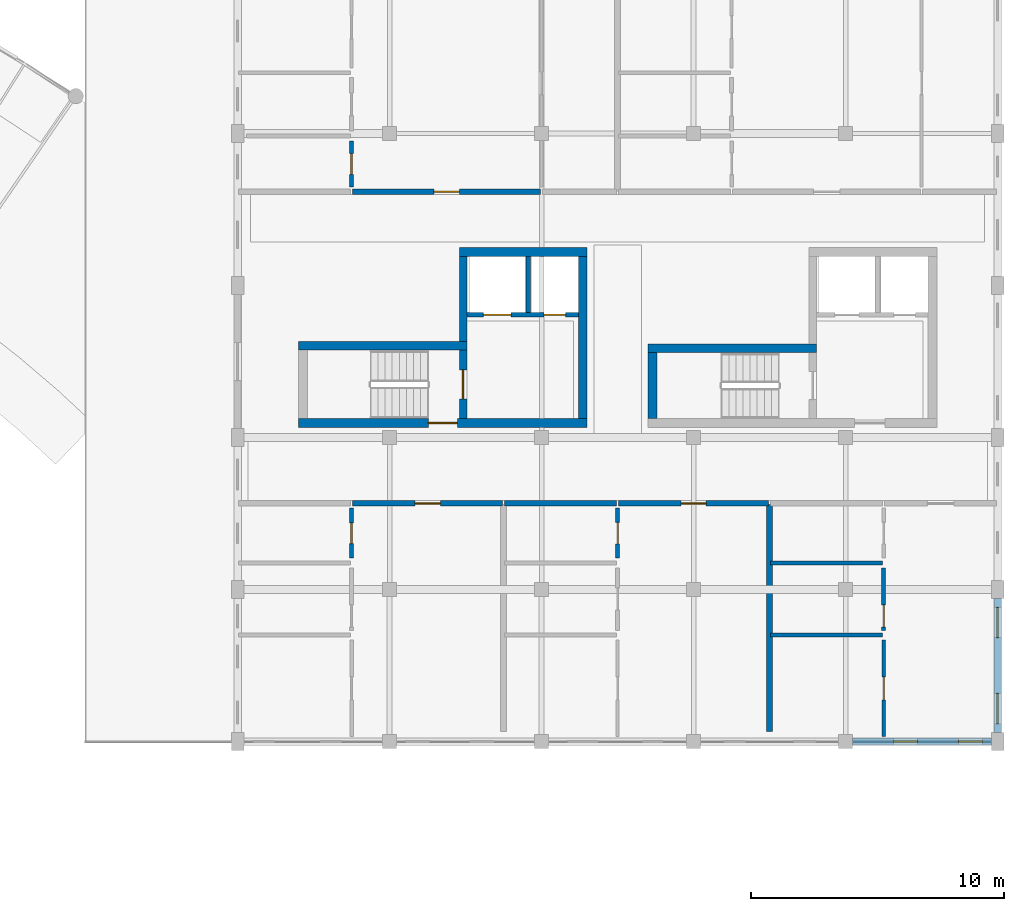
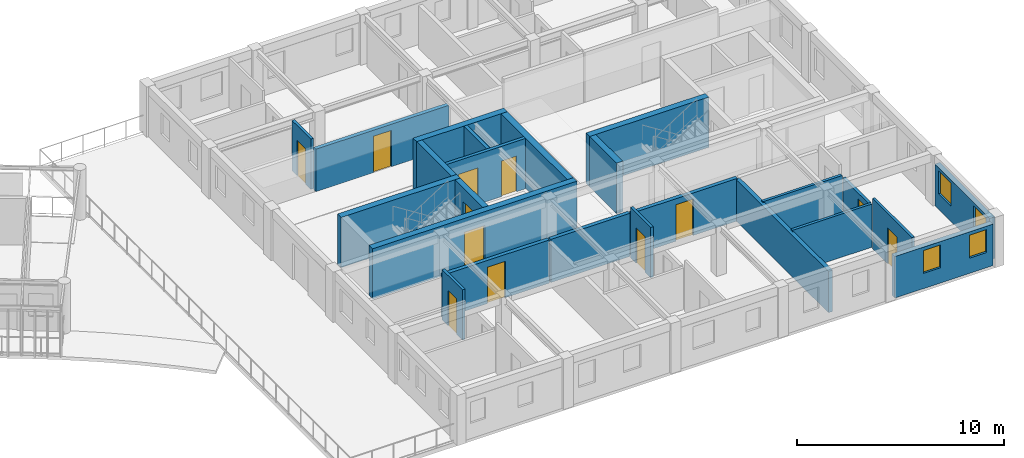
# One storey, part 79 of 101: 24 walls, 12 doors, 4 windows, 16 openings.
"""IFC4 building model written with IfcOpenShell, lengths in metres."""

from ifc_helpers import new_model, si_unit, direction, frame, frame_2d, origin, place, context, subcontext, project, spatial, rectangle, extrude, material, layer, layer_set, type_object, element, fill, save


model = new_model("IFC4")

# Units and contexts
model_context = context("Model", 3, precision=1e-05, world=origin(), true_north=direction((0.0, 1.0)))
body_context = subcontext(model_context, "Body", "Model", "MODEL_VIEW")
ifc_project = project(units=[si_unit("LENGTHUNIT", "METRE"), si_unit("AREAUNIT", "SQUARE_METRE"), si_unit("VOLUMEUNIT", "CUBIC_METRE"), si_unit("PLANEANGLEUNIT", "RADIAN"), si_unit("MASSUNIT", "GRAM", prefix="KILO"), si_unit("POWERUNIT", "WATT"), si_unit("THERMODYNAMICTEMPERATUREUNIT", "KELVIN")], contexts=[model_context])

# Site, building, storey
site_placement = place(None, origin())
site = spatial("IfcSite", under=ifc_project, at=site_placement, CompositionType="ELEMENT")
building_placement = place(site_placement, origin())
building = spatial("IfcBuilding", under=site, at=building_placement, Name="Ruvembo Vaulted Housing Court", CompositionType="ELEMENT")
storey_placement = place(building_placement, frame((0.0, 0.0, 17.300048828125)))
storey = spatial("IfcBuildingStorey", under=building, at=storey_placement, Name="L05", CompositionType="ELEMENT", Elevation=17.300048828125)

# Wall, opening, door
ifc_material_1 = material(Name="Concrete C35/45", Category="concrete")
ifc_layer_1 = layer(ifc_material_1, 0.300048828125, Name="Concrete C35/45")
ifc_layer_set_1 = layer_set([ifc_layer_1], Name="Concrete C35/45")
wall_type_1 = type_object("IfcWallType", Name="WL-CORE-300", PredefinedType="SHEAR", material=ifc_layer_set_1)
wall_1_placement = place(storey_placement, frame((164.89990234375, 84.75, 0.0), z_axis=(0.0, 0.0, 1.0), x_axis=(0.0, 1.0, 0.0)))
wall_1 = element("IfcWall", 1, at=wall_1_placement, inside=storey, type_object=wall_type_1, Name="Core D1 L05 Stair-Lobby Shear Wall", PredefinedType="SHEAR", context=body_context, shape_type="SweptSolid", body=[
    extrude(rectangle(XDim=2.699951171875, YDim=0.300048828125, at=frame_2d((1.35009765625, 0.0))), origin(), (0.0, 0.0, 1.0), 2.96484375),
])
opening_1_placement = place(wall_1_placement, frame((0.77490234375, 0.0, 0.0)))
opening_1 = element("IfcOpeningElement", 2, at=opening_1_placement, cuts=wall_1, Name="Opening SD1", PredefinedType="OPENING", context=body_context, shape_type="SweptSolid", body=[
    extrude(rectangle(XDim=1.14990234375, YDim=2.14990234375, at=frame_2d((0.574951171875, 1.074951171875))), frame((0.0, 0.159912109375, 0.0), z_axis=(0.0, -1.0, 0.0), x_axis=(1.0, 0.0, 0.0)), (0.0, 0.0, 1.0), 0.320068359375),
])
ifc_material_2 = material(Name="Galvanised Painted Steel", Category="steel")
door_type_1 = type_object("IfcDoorType", Name="DR-STAIR-1150x2150", OperationType="NOTDEFINED", PredefinedType="DOOR", material=ifc_material_2)
door_1_placement = place(opening_1_placement, origin())
door_1 = element("IfcDoor", 3, at=door_1_placement, inside=storey, type_object=door_type_1, Name="Stair ST-D1 L05 Fire Door", OperationType="SINGLE_SWING_RIGHT", OverallHeight=2.14990234375, OverallWidth=1.14990234375, PredefinedType="DOOR", context=body_context, shape_type="SweptSolid", body=[
    extrude(rectangle(XDim=1.14990234375, YDim=2.14990234375, at=frame_2d((0.574951171875, 1.074951171875))), frame((0.0, 0.02490234375, 0.0), z_axis=(0.0, -1.0, 0.0), x_axis=(1.0, 0.0, 0.0)), (0.0, 0.0, 1.0), 0.050048828125),
])
fill(opening_1, door_1)

# Wall
wall_2_placement = place(storey_placement, frame((164.89990234375, 87.800048828125, 0.0), z_axis=(0.0, 0.0, 1.0), x_axis=(0.0, 1.0, 0.0)))
element("IfcWall", 4, at=wall_2_placement, inside=storey, type_object=wall_type_1, Name="Core D1 L05 Upper West Shear Wall", PredefinedType="SHEAR", context=body_context, shape_type="SweptSolid", body=[
    extrude(rectangle(XDim=3.349853515625, YDim=0.300048828125, at=frame_2d((1.6748046875, 0.0))), origin(), (0.0, 0.0, 1.0), 2.96484375),
])

# Wall, opening, door
ifc_layer_2 = layer(ifc_material_1, 0.35009765625, Name="Concrete C35/45")
ifc_layer_set_2 = layer_set([ifc_layer_2], Name="Concrete C35/45")
wall_type_2 = type_object("IfcWallType", Name="WL-CORE-350", PredefinedType="SHEAR", material=ifc_layer_set_2)
wall_3_placement = place(storey_placement, frame((158.39990234375, 84.574951171875, 0.0), z_axis=(0.0, 0.0, 1.0), x_axis=(1.0, 0.0, 0.0)))
wall_3 = element("IfcWall", 5, at=wall_3_placement, inside=storey, type_object=wall_type_2, Name="Core D1 L05 South Shear Wall", PredefinedType="SHEAR", context=body_context, shape_type="SweptSolid", body=[
    extrude(rectangle(XDim=11.400146484375, YDim=0.35009765625, at=frame_2d((5.7001953125, 0.0))), origin(), (0.0, 0.0, 1.0), 2.96484375),
])
opening_2_placement = place(wall_3_placement, frame((5.125, 0.0, 0.0)))
opening_2 = element("IfcOpeningElement", 6, at=opening_2_placement, cuts=wall_3, Name="Opening LD0", PredefinedType="OPENING", context=body_context, shape_type="SweptSolid", body=[
    extrude(rectangle(XDim=1.14990234375, YDim=2.14990234375, at=frame_2d((0.574951171875, 1.074951171875))), frame((0.0, 0.18505859375, 0.0), z_axis=(0.0, -1.0, 0.0), x_axis=(1.0, 0.0, 0.0)), (0.0, 0.0, 1.0), 0.3701171875),
])
door_type_2 = type_object("IfcDoorType", Name="DR-LOB-1150x2150", OperationType="NOTDEFINED", PredefinedType="DOOR", material=ifc_material_2)
door_2_placement = place(opening_2_placement, origin())
door_2 = element("IfcDoor", 7, at=door_2_placement, inside=storey, type_object=door_type_2, Name="Core D1 L05 Lobby Fire Door", OperationType="SINGLE_SWING_LEFT", OverallHeight=2.14990234375, OverallWidth=1.14990234375, PredefinedType="DOOR", context=body_context, shape_type="SweptSolid", body=[
    extrude(rectangle(XDim=1.14990234375, YDim=2.14990234375, at=frame_2d((0.574951171875, 1.074951171875))), frame((0.0, 0.02490234375, 0.0), z_axis=(0.0, -1.0, 0.0), x_axis=(1.0, 0.0, 0.0)), (0.0, 0.0, 1.0), 0.050048828125),
])
fill(opening_2, door_2)

# Walls
wall_4_placement = place(storey_placement, frame((165.050048828125, 87.625, 0.0), z_axis=(0.0, 0.0, 1.0), x_axis=(-1.0, 0.0, 0.0)))
element("IfcWall", 8, at=wall_4_placement, inside=storey, type_object=wall_type_2, Name="Core D1 L05 Stair North Shear Wall", PredefinedType="SHEAR", context=body_context, shape_type="SweptSolid", body=[
    extrude(rectangle(XDim=6.650146484375, YDim=0.35009765625, at=frame_2d((3.3251953125, 0.0))), origin(), (0.0, 0.0, 1.0), 2.96484375),
])
wall_5_placement = place(storey_placement, frame((169.800048828125, 91.324951171875, 0.0), z_axis=(0.0, 0.0, 1.0), x_axis=(-1.0, 0.0, 0.0)))
element("IfcWall", 9, at=wall_5_placement, inside=storey, type_object=wall_type_2, Name="Core D1 L05 North Shear Wall", PredefinedType="SHEAR", context=body_context, shape_type="SweptSolid", body=[
    extrude(rectangle(XDim=5.050048828125, YDim=0.35009765625, at=frame_2d((2.52490234375, 0.0))), origin(), (0.0, 0.0, 1.0), 2.96484375),
])
wall_6_placement = place(storey_placement, frame((169.625, 84.75, 0.0), z_axis=(0.0, 0.0, 1.0), x_axis=(0.0, 1.0, 0.0)))
element("IfcWall", 10, at=wall_6_placement, inside=storey, type_object=wall_type_2, Name="Core D1 L05 East Shear Wall", PredefinedType="SHEAR", context=body_context, shape_type="SweptSolid", body=[
    extrude(rectangle(XDim=6.39990234375, YDim=0.35009765625, at=frame_2d((3.199951171875, 0.0))), origin(), (0.0, 0.0, 1.0), 2.96484375),
])
wall_7_placement = place(storey_placement, frame((178.85009765625, 87.52490234375, 0.0), z_axis=(0.0, 0.0, 1.0), x_axis=(-1.0, 0.0, 0.0)))
element("IfcWall", 11, at=wall_7_placement, inside=storey, type_object=wall_type_2, Name="Core D2 L05 Stair North Shear Wall", PredefinedType="SHEAR", context=body_context, shape_type="SweptSolid", body=[
    extrude(rectangle(XDim=6.650146484375, YDim=0.35009765625, at=frame_2d((3.3251953125, 0.0))), origin(), (0.0, 0.0, 1.0), 2.96484375),
])
wall_8_placement = place(storey_placement, frame((172.375, 87.35009765625, 0.0), z_axis=(0.0, 0.0, 1.0), x_axis=(0.0, -1.0, 0.0)))
element("IfcWall", 12, at=wall_8_placement, inside=storey, type_object=wall_type_2, Name="Core D2 L05 Stair West Shear Wall", PredefinedType="SHEAR", context=body_context, shape_type="SweptSolid", body=[
    extrude(rectangle(XDim=2.60009765625, YDim=0.35009765625, at=frame_2d((1.300048828125, 0.0))), origin(), (0.0, 0.0, 1.0), 2.96484375),
])

# Wall, opening, door
ifc_material_3 = material(Name="Concrete Blockwork 210", Category="masonry")
ifc_layer_3 = layer(ifc_material_3, 0.2099609375, Name="Concrete Blockwork 210")
ifc_layer_set_3 = layer_set([ifc_layer_3], Name="Concrete Blockwork 210")
wall_type_3 = type_object("IfcWallType", Name="WL-CORR-210", PredefinedType="SOLIDWALL", material=ifc_layer_set_3)
wall_9_placement = place(storey_placement, frame((160.5400390625, 81.39990234375, 0.0), z_axis=(0.0, 0.0, 1.0), x_axis=(1.0, 0.0, 0.0)))
wall_9 = element("IfcWall", 13, at=wall_9_placement, inside=storey, type_object=wall_type_3, Name="L05 Flat D-L05-S1 Entrance WL-INT-L05-01538", PredefinedType="SOLIDWALL", context=body_context, shape_type="SweptSolid", body=[
    extrude(rectangle(XDim=5.919921875, YDim=0.2099609375, at=frame_2d((2.9599609375, 0.0))), origin(), (0.0, 0.0, 1.0), 2.5478515625),
])
opening_3_placement = place(wall_9_placement, frame((2.4599609375, 0.0, 0.0)))
opening_3 = element("IfcOpeningElement", 14, at=opening_3_placement, cuts=wall_9, Name="Opening FD1", PredefinedType="OPENING", context=body_context, shape_type="SweptSolid", body=[
    extrude(rectangle(XDim=1.0, YDim=2.14990234375, at=frame_2d((0.5, 1.074951171875))), frame((0.0, 0.114990234375, 0.0), z_axis=(0.0, -1.0, 0.0), x_axis=(1.0, 0.0, 0.0)), (0.0, 0.0, 1.0), 0.22998046875),
])
ifc_material_4 = material(Name="FSC Hardwood and Engineered Timber", Category="wood")
door_type_3 = type_object("IfcDoorType", Name="DR-FLAT-1000x2150", OperationType="NOTDEFINED", PredefinedType="DOOR", material=ifc_material_4)
door_3_placement = place(opening_3_placement, origin())
door_3 = element("IfcDoor", 15, at=door_3_placement, inside=storey, type_object=door_type_3, Name="L05 Flat D-L05-S1 Entrance Door DR-INT-L05-00861", OperationType="SINGLE_SWING_LEFT", OverallHeight=2.14990234375, OverallWidth=1.0, PredefinedType="DOOR", context=body_context, shape_type="SweptSolid", body=[
    extrude(rectangle(XDim=1.0, YDim=2.14990234375, at=frame_2d((0.5, 1.074951171875))), frame((0.0, 0.02490234375, 0.0), z_axis=(0.0, -1.0, 0.0), x_axis=(1.0, 0.0, 0.0)), (0.0, 0.0, 1.0), 0.050048828125),
])
fill(opening_3, door_3)

# Wall
wall_10_placement = place(storey_placement, frame((166.5400390625, 81.39990234375, 0.0), z_axis=(0.0, 0.0, 1.0), x_axis=(1.0, 0.0, 0.0)))
element("IfcWall", 16, at=wall_10_placement, inside=storey, type_object=wall_type_3, Name="L05 Flat D-L05-S2 Corridor Wall WL-INT-L05-01545", PredefinedType="SOLIDWALL", context=body_context, shape_type="SweptSolid", body=[
    extrude(rectangle(XDim=4.419921875, YDim=0.2099609375, at=frame_2d((2.2099609375, 0.0))), origin(), (0.0, 0.0, 1.0), 2.5478515625),
])

# Wall, opening, door
wall_11_placement = place(storey_placement, frame((171.0400390625, 81.39990234375, 0.0), z_axis=(0.0, 0.0, 1.0), x_axis=(1.0, 0.0, 0.0)))
wall_11 = element("IfcWall", 17, at=wall_11_placement, inside=storey, type_object=wall_type_3, Name="L05 Flat D-L05-S2 Entrance WL-INT-L05-01546", PredefinedType="SOLIDWALL", context=body_context, shape_type="SweptSolid", body=[
    extrude(rectangle(XDim=5.919921875, YDim=0.2099609375, at=frame_2d((2.9599609375, 0.0))), origin(), (0.0, 0.0, 1.0), 2.508056640625),
])
opening_4_placement = place(wall_11_placement, frame((2.469970703125, 0.0, 0.0)))
opening_4 = element("IfcOpeningElement", 18, at=opening_4_placement, cuts=wall_11, Name="Opening FD2", PredefinedType="OPENING", context=body_context, shape_type="SweptSolid", body=[
    extrude(rectangle(XDim=0.97998046875, YDim=2.14990234375, at=frame_2d((0.489990234375, 1.074951171875))), frame((0.0, 0.114990234375, 0.0), z_axis=(0.0, -1.0, 0.0), x_axis=(1.0, 0.0, 0.0)), (0.0, 0.0, 1.0), 0.22998046875),
])
door_type_4 = type_object("IfcDoorType", Name="DR-FLAT-0980x2150", OperationType="NOTDEFINED", PredefinedType="DOOR", material=ifc_material_4)
door_4_placement = place(opening_4_placement, origin())
door_4 = element("IfcDoor", 19, at=door_4_placement, inside=storey, type_object=door_type_4, Name="L05 Flat D-L05-S2 Entrance Door DR-INT-L05-00865", OperationType="SINGLE_SWING_LEFT", OverallHeight=2.14990234375, OverallWidth=0.97998046875, PredefinedType="DOOR", context=body_context, shape_type="SweptSolid", body=[
    extrude(rectangle(XDim=0.97998046875, YDim=2.14990234375, at=frame_2d((0.489990234375, 1.074951171875))), frame((0.0, 0.02490234375, 0.0), z_axis=(0.0, -1.0, 0.0), x_axis=(1.0, 0.0, 0.0)), (0.0, 0.0, 1.0), 0.050048828125),
])
fill(opening_4, door_4)

wall_12_placement = place(storey_placement, frame((160.5400390625, 93.699951171875, 0.0), z_axis=(0.0, 0.0, 1.0), x_axis=(1.0, 0.0, 0.0)))
wall_12 = element("IfcWall", 20, at=wall_12_placement, inside=storey, type_object=wall_type_3, Name="L05 Flat D-L05-N1 Entrance WL-INT-L05-01561", PredefinedType="SOLIDWALL", context=body_context, shape_type="SweptSolid", body=[
    extrude(rectangle(XDim=7.419921875, YDim=0.2099609375, at=frame_2d((3.7099609375, 0.0))), origin(), (0.0, 0.0, 1.0), 2.508056640625),
])
opening_5_placement = place(wall_12_placement, frame((3.2099609375, 0.0, 0.0)))
opening_5 = element("IfcOpeningElement", 21, at=opening_5_placement, cuts=wall_12, Name="Opening FD1", PredefinedType="OPENING", context=body_context, shape_type="SweptSolid", body=[
    extrude(rectangle(XDim=1.0, YDim=2.14990234375, at=frame_2d((0.5, 1.074951171875))), frame((0.0, 0.114990234375, 0.0), z_axis=(0.0, -1.0, 0.0), x_axis=(1.0, 0.0, 0.0)), (0.0, 0.0, 1.0), 0.22998046875),
])
door_5_placement = place(opening_5_placement, origin())
door_5 = element("IfcDoor", 22, at=door_5_placement, inside=storey, type_object=door_type_3, Name="L05 Flat D-L05-N1 Entrance Door DR-INT-L05-00873", OperationType="SINGLE_SWING_LEFT", OverallHeight=2.14990234375, OverallWidth=1.0, PredefinedType="DOOR", context=body_context, shape_type="SweptSolid", body=[
    extrude(rectangle(XDim=1.0, YDim=2.14990234375, at=frame_2d((0.5, 1.074951171875))), frame((0.0, 0.02490234375, 0.0), z_axis=(0.0, -1.0, 0.0), x_axis=(1.0, 0.0, 0.0)), (0.0, 0.0, 1.0), 0.050048828125),
])
fill(opening_5, door_5)

# Wall
ifc_material_5 = material(Name="Acoustic Masonry Demising 230", Category="masonry")
ifc_layer_4 = layer(ifc_material_5, 0.22998046875, Name="Acoustic Masonry Demising 230")
ifc_layer_set_4 = layer_set([ifc_layer_4], Name="Acoustic Masonry Demising 230")
wall_type_4 = type_object("IfcWallType", Name="WL-DEM-230", PredefinedType="SOLIDWALL", material=ifc_layer_set_4)
wall_13_placement = place(storey_placement, frame((177.0, 72.389892578125, 0.0), z_axis=(0.0, 0.0, 1.0), x_axis=(0.0, 1.0, 0.0)))
element("IfcWall", 23, at=wall_13_placement, inside=storey, type_object=wall_type_4, Name="L05 Demising D-L05-S2 WL-INT-L05-01544", PredefinedType="SOLIDWALL", context=body_context, shape_type="SweptSolid", body=[
    extrude(rectangle(XDim=8.97021484375, YDim=0.22998046875, at=frame_2d((4.485107421875, 0.0))), origin(), (0.0, 0.0, 1.0), 2.447021484375),
])

# Wall, openings, windows
ifc_material_6 = material(Name="Rendered Masonry 285", Category="masonry")
ifc_layer_5 = layer(ifc_material_6, 0.284912109375, Name="Rendered Masonry 285")
ifc_layer_set_5 = layer_set([ifc_layer_5], Name="Rendered Masonry 285")
wall_type_5 = type_object("IfcWallType", Name="WL-EXT-285", PredefinedType="STANDARD", material=ifc_layer_set_5)
wall_14_placement = place(storey_placement, frame((180.27490234375, 72.0, 0.0), z_axis=(0.0, 0.0, 1.0), x_axis=(1.0, 0.0, 0.0)))
wall_14 = element("IfcWall", 24, at=wall_14_placement, inside=storey, type_object=wall_type_5, Name="Block D L05 Exterior Wall COURTYARD #5", PredefinedType="STANDARD", context=body_context, shape_type="SweptSolid", body=[
    extrude(rectangle(XDim=5.47509765625, YDim=0.284912109375, at=frame_2d((2.737548828125, 0.0))), origin(), (0.0, 0.0, 1.0), 2.447021484375),
])
opening_6_placement = place(wall_14_placement, frame((1.614990234375, 0.0, 0.89990234375)))
opening_6 = element("IfcOpeningElement", 25, at=opening_6_placement, cuts=wall_14, Name="Opening W07", PredefinedType="OPENING", context=body_context, shape_type="SweptSolid", body=[
    extrude(rectangle(XDim=0.949951171875, YDim=1.35009765625, at=frame_2d((0.47509765625, 0.675048828125))), frame((0.0, 0.15234375, 0.0), z_axis=(0.0, -1.0, 0.0), x_axis=(1.0, 0.0, 0.0)), (0.0, 0.0, 1.0), 0.304931640625),
])
opening_7_placement = place(wall_14_placement, frame((4.175048828125, 0.0, 0.89990234375)))
opening_7 = element("IfcOpeningElement", 26, at=opening_7_placement, cuts=wall_14, Name="Opening W07", PredefinedType="OPENING", context=body_context, shape_type="SweptSolid", body=[
    extrude(rectangle(XDim=0.949951171875, YDim=1.35009765625, at=frame_2d((0.47509765625, 0.675048828125))), frame((0.0, 0.15234375, 0.0), z_axis=(0.0, -1.0, 0.0), x_axis=(1.0, 0.0, 0.0)), (0.0, 0.0, 1.0), 0.304931640625),
])
ifc_material_7 = material(Name="Double Solar-Control Glazing in Aluminium Frame", Category="aluminium")
window_type_1 = type_object("IfcWindowType", Name="WIN-0950x1350", PartitioningType="SINGLE_PANEL", PredefinedType="WINDOW", material=ifc_material_7)
window_1_placement = place(opening_6_placement, origin())
window_1 = element("IfcWindow", 27, at=window_1_placement, inside=storey, type_object=window_type_1, Name="Block D L05 Window #1671", OverallHeight=1.35009765625, OverallWidth=0.949951171875, PartitioningType="SINGLE_PANEL", PredefinedType="WINDOW", context=body_context, shape_type="SweptSolid", body=[
    extrude(rectangle(XDim=0.949951171875, YDim=1.35009765625, at=frame_2d((0.47509765625, 0.675048828125))), frame((0.0, 0.030029296875, 0.0), z_axis=(0.0, -1.0, 0.0), x_axis=(1.0, 0.0, 0.0)), (0.0, 0.0, 1.0), 0.06005859375),
])
fill(opening_6, window_1)
window_2_placement = place(opening_7_placement, origin())
window_2 = element("IfcWindow", 28, at=window_2_placement, inside=storey, type_object=window_type_1, Name="Block D L05 Window #1672", OverallHeight=1.35009765625, OverallWidth=0.949951171875, PartitioningType="SINGLE_PANEL", PredefinedType="WINDOW", context=body_context, shape_type="SweptSolid", body=[
    extrude(rectangle(XDim=0.949951171875, YDim=1.35009765625, at=frame_2d((0.47509765625, 0.675048828125))), frame((0.0, 0.030029296875, 0.0), z_axis=(0.0, -1.0, 0.0), x_axis=(1.0, 0.0, 0.0)), (0.0, 0.0, 1.0), 0.06005859375),
])
fill(opening_7, window_2)

wall_15_placement = place(storey_placement, frame((186.0, 72.35009765625, 0.0), z_axis=(0.0, 0.0, 1.0), x_axis=(0.0, 1.0, 0.0)))
wall_15 = element("IfcWall", 29, at=wall_15_placement, inside=storey, type_object=wall_type_5, Name="Block D L05 Exterior Wall EAST #1", PredefinedType="STANDARD", context=body_context, shape_type="SweptSolid", body=[
    extrude(rectangle(XDim=5.2998046875, YDim=0.284912109375, at=frame_2d((2.64990234375, 0.0))), origin(), (0.0, 0.0, 1.0), 2.447021484375),
])
opening_8_placement = place(wall_15_placement, frame((0.35009765625, 0.0, 0.89990234375)))
opening_8 = element("IfcOpeningElement", 30, at=opening_8_placement, cuts=wall_15, Name="Opening W12", PredefinedType="OPENING", context=body_context, shape_type="SweptSolid", body=[
    extrude(rectangle(XDim=1.199951171875, YDim=1.35009765625, at=frame_2d((0.60009765625, 0.675048828125))), frame((0.0, 0.15234375, 0.0), z_axis=(0.0, -1.0, 0.0), x_axis=(1.0, 0.0, 0.0)), (0.0, 0.0, 1.0), 0.304931640625),
])
opening_9_placement = place(wall_15_placement, frame((3.75, 0.0, 0.89990234375)))
opening_9 = element("IfcOpeningElement", 31, at=opening_9_placement, cuts=wall_15, Name="Opening W12", PredefinedType="OPENING", context=body_context, shape_type="SweptSolid", body=[
    extrude(rectangle(XDim=1.199951171875, YDim=1.35009765625, at=frame_2d((0.60009765625, 0.675048828125))), frame((0.0, 0.15234375, 0.0), z_axis=(0.0, -1.0, 0.0), x_axis=(1.0, 0.0, 0.0)), (0.0, 0.0, 1.0), 0.304931640625),
])
window_type_2 = type_object("IfcWindowType", Name="WIN-1200x1350", PartitioningType="SINGLE_PANEL", PredefinedType="WINDOW", material=ifc_material_7)
window_3_placement = place(opening_8_placement, origin())
window_3 = element("IfcWindow", 32, at=window_3_placement, inside=storey, type_object=window_type_2, Name="Block D L05 Window #1673", OverallHeight=1.35009765625, OverallWidth=1.199951171875, PartitioningType="SINGLE_PANEL", PredefinedType="WINDOW", context=body_context, shape_type="SweptSolid", body=[
    extrude(rectangle(XDim=1.199951171875, YDim=1.35009765625, at=frame_2d((0.60009765625, 0.675048828125))), frame((0.0, 0.030029296875, 0.0), z_axis=(0.0, -1.0, 0.0), x_axis=(1.0, 0.0, 0.0)), (0.0, 0.0, 1.0), 0.06005859375),
])
fill(opening_8, window_3)
window_4_placement = place(opening_9_placement, origin())
window_4 = element("IfcWindow", 33, at=window_4_placement, inside=storey, type_object=window_type_2, Name="Block D L05 Window #1674", OverallHeight=1.35009765625, OverallWidth=1.199951171875, PartitioningType="SINGLE_PANEL", PredefinedType="WINDOW", context=body_context, shape_type="SweptSolid", body=[
    extrude(rectangle(XDim=1.199951171875, YDim=1.35009765625, at=frame_2d((0.60009765625, 0.675048828125))), frame((0.0, 0.030029296875, 0.0), z_axis=(0.0, -1.0, 0.0), x_axis=(1.0, 0.0, 0.0)), (0.0, 0.0, 1.0), 0.06005859375),
])
fill(opening_9, window_4)

# Wall, opening, door
ifc_material_8 = material(Name="Acoustic Stud Partition 135", Category="gypsum")
ifc_layer_6 = layer(ifc_material_8, 0.135009765625, Name="Acoustic Stud Partition 135")
ifc_layer_set_6 = layer_set([ifc_layer_6], Name="Acoustic Stud Partition 135")
wall_type_6 = type_object("IfcWallType", Name="WL-PART-135", PredefinedType="PARTITIONING", material=ifc_layer_set_6)
wall_16_placement = place(storey_placement, frame((181.5, 72.18994140625, 0.0), z_axis=(0.0, 0.0, 1.0), x_axis=(0.0, 1.0, 0.0)))
wall_16 = element("IfcWall", 34, at=wall_16_placement, inside=storey, type_object=wall_type_6, Name="L05 Flat D-L05-S3 Bedroom 1 WL-INT-L05-01554", PredefinedType="PARTITIONING", context=body_context, shape_type="SweptSolid", body=[
    extrude(rectangle(XDim=3.820068359375, YDim=0.135009765625, at=frame_2d((1.91015625, 0.0))), origin(), (0.0, 0.0, 1.0), 2.96484375),
])
opening_10_placement = place(wall_16_placement, frame((1.4599609375, 0.0, 0.0)))
opening_10 = element("IfcOpeningElement", 35, at=opening_10_placement, cuts=wall_16, Name="Opening ID1", PredefinedType="OPENING", context=body_context, shape_type="SweptSolid", body=[
    extrude(rectangle(XDim=0.89990234375, YDim=2.10009765625, at=frame_2d((0.449951171875, 1.050048828125))), frame((0.0, 0.077392578125, 0.0), z_axis=(0.0, -1.0, 0.0), x_axis=(1.0, 0.0, 0.0)), (0.0, 0.0, 1.0), 0.155029296875),
])
door_type_5 = type_object("IfcDoorType", Name="DR-ROOM-0900x2100", OperationType="NOTDEFINED", PredefinedType="DOOR", material=ifc_material_4)
door_6_placement = place(opening_10_placement, origin())
door_6 = element("IfcDoor", 36, at=door_6_placement, inside=storey, type_object=door_type_5, Name="L05 Flat D-L05-S3 Bedroom 1 Door DR-INT-L05-00870", OperationType="SINGLE_SWING_RIGHT", OverallHeight=2.10009765625, OverallWidth=0.89990234375, PredefinedType="DOOR", context=body_context, shape_type="SweptSolid", body=[
    extrude(rectangle(XDim=0.89990234375, YDim=2.10009765625, at=frame_2d((0.449951171875, 1.050048828125))), frame((0.0, 0.02490234375, 0.0), z_axis=(0.0, -1.0, 0.0), x_axis=(1.0, 0.0, 0.0)), (0.0, 0.0, 1.0), 0.050048828125),
])
fill(opening_10, door_6)

ifc_material_9 = material(Name="Moisture-Resistant Wet Partition 150", Category="gypsum")
ifc_layer_7 = layer(ifc_material_9, 0.14990234375, Name="Moisture-Resistant Wet Partition 150")
ifc_layer_set_7 = layer_set([ifc_layer_7], Name="Moisture-Resistant Wet Partition 150")
wall_type_7 = type_object("IfcWallType", Name="WL-PART-150", PredefinedType="PARTITIONING", material=ifc_layer_set_7)
wall_17_placement = place(storey_placement, frame((160.5, 79.239990234375, 0.0), z_axis=(0.0, 0.0, 1.0), x_axis=(0.0, 1.0, 0.0)))
wall_17 = element("IfcWall", 37, at=wall_17_placement, inside=storey, type_object=wall_type_7, Name="L05 Flat D-L05-S1 Bathroom WL-INT-L05-01541", PredefinedType="PARTITIONING", context=body_context, shape_type="SweptSolid", body=[
    extrude(rectangle(XDim=1.969970703125, YDim=0.14990234375, at=frame_2d((0.98486328125, 0.0))), origin(), (0.0, 0.0, 1.0), 2.96484375),
])
opening_11_placement = place(wall_17_placement, frame((0.574951171875, 0.0, 0.0)))
opening_11 = element("IfcOpeningElement", 38, at=opening_11_placement, cuts=wall_17, Name="Opening ID4", PredefinedType="OPENING", context=body_context, shape_type="SweptSolid", body=[
    extrude(rectangle(XDim=0.820068359375, YDim=2.080078125, at=frame_2d((0.41015625, 1.0400390625))), frame((0.0, 0.0849609375, 0.0), z_axis=(0.0, -1.0, 0.0), x_axis=(1.0, 0.0, 0.0)), (0.0, 0.0, 1.0), 0.169921875),
])
door_type_6 = type_object("IfcDoorType", Name="DR-WET-0820x2080", OperationType="NOTDEFINED", PredefinedType="DOOR", material=ifc_material_4)
door_7_placement = place(opening_11_placement, origin())
door_7 = element("IfcDoor", 39, at=door_7_placement, inside=storey, type_object=door_type_6, Name="L05 Flat D-L05-S1 Bathroom Door DR-INT-L05-00864", OperationType="SINGLE_SWING_RIGHT", OverallHeight=2.080078125, OverallWidth=0.820068359375, PredefinedType="DOOR", context=body_context, shape_type="SweptSolid", body=[
    extrude(rectangle(XDim=0.820068359375, YDim=2.080078125, at=frame_2d((0.41015625, 1.0400390625))), frame((0.0, 0.02490234375, 0.0), z_axis=(0.0, -1.0, 0.0), x_axis=(1.0, 0.0, 0.0)), (0.0, 0.0, 1.0), 0.050048828125),
])
fill(opening_11, door_7)

wall_18_placement = place(storey_placement, frame((171.0, 79.239990234375, 0.0), z_axis=(0.0, 0.0, 1.0), x_axis=(0.0, 1.0, 0.0)))
wall_18 = element("IfcWall", 40, at=wall_18_placement, inside=storey, type_object=wall_type_7, Name="L05 Flat D-L05-S2 Bathroom WL-INT-L05-01549", PredefinedType="PARTITIONING", context=body_context, shape_type="SweptSolid", body=[
    extrude(rectangle(XDim=1.969970703125, YDim=0.14990234375, at=frame_2d((0.98486328125, 0.0))), origin(), (0.0, 0.0, 1.0), 2.96484375),
])
opening_12_placement = place(wall_18_placement, frame((0.56005859375, 0.0, 0.0)))
opening_12 = element("IfcOpeningElement", 41, at=opening_12_placement, cuts=wall_18, Name="Opening ID2", PredefinedType="OPENING", context=body_context, shape_type="SweptSolid", body=[
    extrude(rectangle(XDim=0.85009765625, YDim=2.10009765625, at=frame_2d((0.425048828125, 1.050048828125))), frame((0.0, 0.0849609375, 0.0), z_axis=(0.0, -1.0, 0.0), x_axis=(1.0, 0.0, 0.0)), (0.0, 0.0, 1.0), 0.169921875),
])
door_type_7 = type_object("IfcDoorType", Name="DR-WET-0850x2100", OperationType="NOTDEFINED", PredefinedType="DOOR", material=ifc_material_4)
door_8_placement = place(opening_12_placement, origin())
door_8 = element("IfcDoor", 42, at=door_8_placement, inside=storey, type_object=door_type_7, Name="L05 Flat D-L05-S2 Bathroom Door DR-INT-L05-00868", OperationType="SINGLE_SWING_RIGHT", OverallHeight=2.10009765625, OverallWidth=0.85009765625, PredefinedType="DOOR", context=body_context, shape_type="SweptSolid", body=[
    extrude(rectangle(XDim=0.85009765625, YDim=2.10009765625, at=frame_2d((0.425048828125, 1.050048828125))), frame((0.0, 0.02490234375, 0.0), z_axis=(0.0, -1.0, 0.0), x_axis=(1.0, 0.0, 0.0)), (0.0, 0.0, 1.0), 0.050048828125),
])
fill(opening_12, door_8)

# Walls
wall_19_placement = place(storey_placement, frame((177.0400390625, 76.199951171875, 0.0), z_axis=(0.0, 0.0, 1.0), x_axis=(1.0, 0.0, 0.0)))
element("IfcWall", 43, at=wall_19_placement, inside=storey, type_object=wall_type_7, Name="L05 Flat D-L05-S3 Wet Wall 1 WL-INT-L05-01557", PredefinedType="PARTITIONING", context=body_context, shape_type="SweptSolid", body=[
    extrude(rectangle(XDim=4.419921875, YDim=0.14990234375, at=frame_2d((2.2099609375, 0.0))), origin(), (0.0, 0.0, 1.0), 2.5478515625),
])
wall_20_placement = place(storey_placement, frame((177.0400390625, 79.050048828125, 0.0), z_axis=(0.0, 0.0, 1.0), x_axis=(1.0, 0.0, 0.0)))
element("IfcWall", 44, at=wall_20_placement, inside=storey, type_object=wall_type_7, Name="L05 Flat D-L05-S3 Wet Wall 2 WL-INT-L05-01558", PredefinedType="PARTITIONING", context=body_context, shape_type="SweptSolid", body=[
    extrude(rectangle(XDim=4.419921875, YDim=0.14990234375, at=frame_2d((2.2099609375, 0.0))), origin(), (0.0, 0.0, 1.0), 2.508056640625),
])

# Wall, opening, door
wall_21_placement = place(storey_placement, frame((160.5, 93.889892578125, 0.0), z_axis=(0.0, 0.0, 1.0), x_axis=(0.0, 1.0, 0.0)))
wall_21 = element("IfcWall", 45, at=wall_21_placement, inside=storey, type_object=wall_type_7, Name="L05 Flat D-L05-N1 Bathroom WL-INT-L05-01564", PredefinedType="PARTITIONING", context=body_context, shape_type="SweptSolid", body=[
    extrude(rectangle(XDim=1.820068359375, YDim=0.14990234375, at=frame_2d((0.91015625, 0.0))), origin(), (0.0, 0.0, 1.0), 2.96484375),
])
opening_13_placement = place(wall_21_placement, frame((0.5, 0.0, 0.0)))
opening_13 = element("IfcOpeningElement", 46, at=opening_13_placement, cuts=wall_21, Name="Opening ID4", PredefinedType="OPENING", context=body_context, shape_type="SweptSolid", body=[
    extrude(rectangle(XDim=0.820068359375, YDim=2.080078125, at=frame_2d((0.41015625, 1.0400390625))), frame((0.0, 0.0849609375, 0.0), z_axis=(0.0, -1.0, 0.0), x_axis=(1.0, 0.0, 0.0)), (0.0, 0.0, 1.0), 0.169921875),
])
door_9_placement = place(opening_13_placement, origin())
door_9 = element("IfcDoor", 47, at=door_9_placement, inside=storey, type_object=door_type_6, Name="L05 Flat D-L05-N1 Bathroom Door DR-INT-L05-00876", OperationType="SINGLE_SWING_RIGHT", OverallHeight=2.080078125, OverallWidth=0.820068359375, PredefinedType="DOOR", context=body_context, shape_type="SweptSolid", body=[
    extrude(rectangle(XDim=0.820068359375, YDim=2.080078125, at=frame_2d((0.41015625, 1.0400390625))), frame((0.0, 0.02490234375, 0.0), z_axis=(0.0, -1.0, 0.0), x_axis=(1.0, 0.0, 0.0)), (0.0, 0.0, 1.0), 0.050048828125),
])
fill(opening_13, door_9)

ifc_material_10 = material(Name="Acoustic Service Chase Wall 160", Category="gypsum")
ifc_layer_8 = layer(ifc_material_10, 0.159912109375, Name="Acoustic Service Chase Wall 160")
ifc_layer_set_8 = layer_set([ifc_layer_8], Name="Acoustic Service Chase Wall 160")
wall_type_8 = type_object("IfcWallType", Name="WL-PLUMB-160", PredefinedType="PLUMBINGWALL", material=ifc_layer_set_8)
wall_22_placement = place(storey_placement, frame((181.5, 76.389892578125, 0.0), z_axis=(0.0, 0.0, 1.0), x_axis=(0.0, 1.0, 0.0)))
wall_22 = element("IfcWall", 48, at=wall_22_placement, inside=storey, type_object=wall_type_8, Name="L05 Flat D-L05-S3 Kitchen WL-INT-L05-01555", PredefinedType="PLUMBINGWALL", context=body_context, shape_type="SweptSolid", body=[
    extrude(rectangle(XDim=2.47021484375, YDim=0.159912109375, at=frame_2d((1.235107421875, 0.0))), origin(), (0.0, 0.0, 1.0), 2.447021484375),
])
opening_14_placement = place(wall_22_placement, frame((0.1298828125, 0.0, 0.0)))
opening_14 = element("IfcOpeningElement", 49, at=opening_14_placement, cuts=wall_22, Name="Opening ID3", PredefinedType="OPENING", context=body_context, shape_type="SweptSolid", body=[
    extrude(rectangle(XDim=0.8798828125, YDim=2.10009765625, at=frame_2d((0.43994140625, 1.050048828125))), frame((0.0, 0.08984375, 0.0), z_axis=(0.0, -1.0, 0.0), x_axis=(1.0, 0.0, 0.0)), (0.0, 0.0, 1.0), 0.179931640625),
])
door_type_8 = type_object("IfcDoorType", Name="DR-ROOM-0880x2100", OperationType="NOTDEFINED", PredefinedType="DOOR", material=ifc_material_4)
door_10_placement = place(opening_14_placement, origin())
door_10 = element("IfcDoor", 50, at=door_10_placement, inside=storey, type_object=door_type_8, Name="L05 Flat D-L05-S3 Kitchen Door DR-INT-L05-00871", OperationType="SINGLE_SWING_LEFT", OverallHeight=2.10009765625, OverallWidth=0.8798828125, PredefinedType="DOOR", context=body_context, shape_type="SweptSolid", body=[
    extrude(rectangle(XDim=0.8798828125, YDim=2.10009765625, at=frame_2d((0.43994140625, 1.050048828125))), frame((0.0, 0.02490234375, 0.0), z_axis=(0.0, -1.0, 0.0), x_axis=(1.0, 0.0, 0.0)), (0.0, 0.0, 1.0), 0.050048828125),
])
fill(opening_14, door_10)

# Wall, openings, doors
ifc_material_11 = material(Name="Fire-Rated Masonry Shaft 180", Category="masonry")
ifc_layer_9 = layer(ifc_material_11, 0.179931640625, Name="Fire-Rated Masonry Shaft 180")
ifc_layer_set_9 = layer_set([ifc_layer_9], Name="Fire-Rated Masonry Shaft 180")
wall_type_9 = type_object("IfcWallType", Name="WL-SHAFT-180", PredefinedType="SOLIDWALL", material=ifc_layer_set_9)
wall_23_placement = place(storey_placement, frame((165.050048828125, 88.85009765625, 0.0), z_axis=(0.0, 0.0, 1.0), x_axis=(1.0, 0.0, 0.0)))
wall_23 = element("IfcWall", 51, at=wall_23_placement, inside=storey, type_object=wall_type_9, Name="Core D1 L05 Lift and Riser Front Wall", PredefinedType="SOLIDWALL", context=body_context, shape_type="SweptSolid", body=[
    extrude(rectangle(XDim=4.39990234375, YDim=0.179931640625, at=frame_2d((2.199951171875, 0.0))), origin(), (0.0, 0.0, 1.0), 2.96484375),
])
opening_15_placement = place(wall_23_placement, frame((0.64990234375, 0.0, 0.0)))
opening_15 = element("IfcOpeningElement", 52, at=opening_15_placement, cuts=wall_23, Name="Opening LD-LP-D1-L05", PredefinedType="OPENING", context=body_context, shape_type="SweptSolid", body=[
    extrude(rectangle(XDim=1.10009765625, YDim=2.14990234375, at=frame_2d((0.550048828125, 1.074951171875))), frame((0.0, 0.099853515625, 0.0), z_axis=(0.0, -1.0, 0.0), x_axis=(1.0, 0.0, 0.0)), (0.0, 0.0, 1.0), 0.199951171875),
])
opening_16_placement = place(wall_23_placement, frame((3.050048828125, 0.0, 0.0)))
opening_16 = element("IfcOpeningElement", 53, at=opening_16_placement, cuts=wall_23, Name="Opening RD1", PredefinedType="OPENING", context=body_context, shape_type="SweptSolid", body=[
    extrude(rectangle(XDim=0.85009765625, YDim=2.10009765625, at=frame_2d((0.425048828125, 1.050048828125))), frame((0.0, 0.099853515625, 0.0), z_axis=(0.0, -1.0, 0.0), x_axis=(1.0, 0.0, 0.0)), (0.0, 0.0, 1.0), 0.199951171875),
])
ifc_material_12 = material(Name="Brushed Stainless Steel 304", Category="steel")
door_type_9 = type_object("IfcDoorType", Name="DR-LIFT-1100x2150", OperationType="NOTDEFINED", PredefinedType="DOOR", material=ifc_material_12)
door_11_placement = place(opening_15_placement, origin())
door_11 = element("IfcDoor", 54, at=door_11_placement, inside=storey, type_object=door_type_9, Name="Lift LP-D1 L05 Sliding Landing Door", OperationType="SLIDING_TO_LEFT", OverallHeight=2.14990234375, OverallWidth=1.10009765625, PredefinedType="DOOR", context=body_context, shape_type="SweptSolid", body=[
    extrude(rectangle(XDim=1.10009765625, YDim=2.14990234375, at=frame_2d((0.550048828125, 1.074951171875))), frame((0.0, 0.02490234375, 0.0), z_axis=(0.0, -1.0, 0.0), x_axis=(1.0, 0.0, 0.0)), (0.0, 0.0, 1.0), 0.050048828125),
])
fill(opening_15, door_11)
door_type_10 = type_object("IfcDoorType", Name="DR-RISER-0850x2100", OperationType="NOTDEFINED", PredefinedType="DOOR", material=ifc_material_2)
door_12_placement = place(opening_16_placement, frame((0.85009765625, 0.0, 0.0), z_axis=(0.0, 0.0, 1.0), x_axis=(-1.0, 0.0, 0.0)))
door_12 = element("IfcDoor", 55, at=door_12_placement, inside=storey, type_object=door_type_10, Name="Core D1 L05 Service Riser Door", OperationType="SINGLE_SWING_LEFT", OverallHeight=2.10009765625, OverallWidth=0.85009765625, PredefinedType="DOOR", context=body_context, shape_type="SweptSolid", body=[
    extrude(rectangle(XDim=0.85009765625, YDim=2.10009765625, at=frame_2d((0.425048828125, 1.050048828125))), frame((0.0, 0.02490234375, 0.0), z_axis=(0.0, -1.0, 0.0), x_axis=(1.0, 0.0, 0.0)), (0.0, 0.0, 1.0), 0.050048828125),
])
fill(opening_16, door_12)

# Wall
wall_24_placement = place(storey_placement, frame((167.469970703125, 88.93994140625, 0.0), z_axis=(0.0, 0.0, 1.0), x_axis=(0.0, 1.0, 0.0)))
element("IfcWall", 56, at=wall_24_placement, inside=storey, type_object=wall_type_9, Name="Core D1 L05 Shaft-Riser Divider Wall", PredefinedType="SOLIDWALL", context=body_context, shape_type="SweptSolid", body=[
    extrude(rectangle(XDim=2.2099609375, YDim=0.179931640625, at=frame_2d((1.10498046875, 0.0))), origin(), (0.0, 0.0, 1.0), 2.96484375),
])

save(model, "model.ifc")
